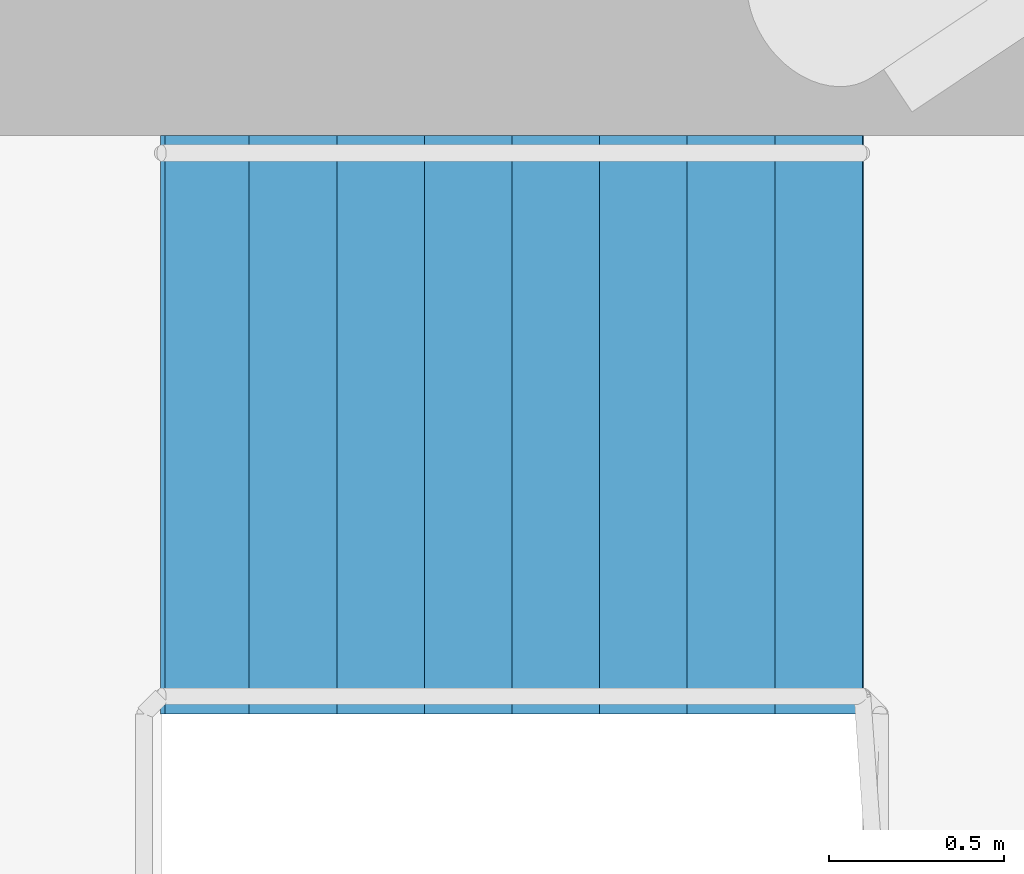
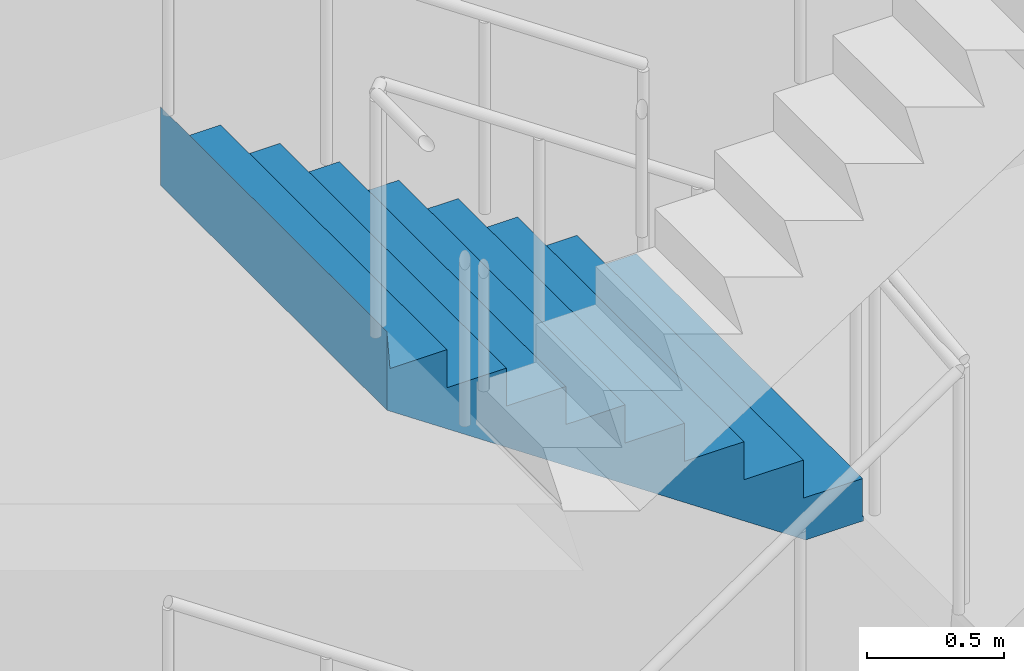
# One storey, part 18 of 23: 1 stair flight, 1 element without a shape of its own.
"""IFC4 building model written with IfcOpenShell, lengths in metres."""

import ifcopenshell
import ifcopenshell.guid

model = None  # the IFC model being written
_history = None  # IfcOwnerHistory: only IFC2X3 demands one
_inside = {}  # id of a spatial element -> (the spatial element, [elements in it])
_under = {}  # id of a project, library or spatial element -> (it, [spatial elements below it])
_declared = {}  # id of a project -> (the project, [libraries it declares])
_typed = {}  # id of a type object -> (the type object, [elements of that type])
_made_of = {}  # id of a material, layer set ... -> (it, [elements and type objects made of it])


def new_model(schema):
    """Start an empty IFC model of exactly this schema.

    Asked for "IFC4X3", IfcOpenShell would pick the latest addendum, in which some entities
    have other attributes; the version numbers below select the first issue.
    IFC2X3 requires an IfcOwnerHistory on every rooted entity: one is made here for all.
    """
    global model, _history
    if schema == "IFC4X3":
        model = ifcopenshell.file(schema_version=(4, 3, 0, 0))
    else:
        model = ifcopenshell.file(schema=schema)
    _inside.clear()
    _under.clear()
    _declared.clear()
    _typed.clear()
    _made_of.clear()
    _history = None
    if model.schema == "IFC2X3":
        org = make("IfcOrganization", Name="unknown")
        user = make(
            "IfcPersonAndOrganization",
            ThePerson=make("IfcPerson", FamilyName="unknown"),
            TheOrganization=org,
        )
        app = make(
            "IfcApplication",
            ApplicationDeveloper=org,
            Version="unknown",
            ApplicationFullName="unknown",
            ApplicationIdentifier="unknown",
        )
        _history = make(
            "IfcOwnerHistory",
            OwningUser=user,
            OwningApplication=app,
            ChangeAction="ADDED",
            CreationDate=0,
        )
    return model


def make(cls, **values):
    """One entity of the class cls with the attributes given. An attribute that is None is left unset."""
    return model.create_entity(
        cls, **{name: value for name, value in values.items() if value is not None}
    )


def rooted(cls, **values):
    """An entity with a GlobalId (a new one), such as an element, a storey or a relation."""
    return make(cls, GlobalId=ifcopenshell.guid.new(), OwnerHistory=_history, **values)


def si_unit(unit_type, name, prefix=None):
    """IfcSIUnit, for example si_unit("LENGTHUNIT", "METRE", prefix="MILLI")."""
    return make("IfcSIUnit", UnitType=unit_type, Prefix=prefix, Name=name)


def assignment(units):
    """IfcUnitAssignment: the units of a project."""
    return None if units is None else make("IfcUnitAssignment", Units=units)


def point(xyz):
    """IfcCartesianPoint."""
    return None if xyz is None else make("IfcCartesianPoint", Coordinates=xyz)


def direction(xyz):
    """IfcDirection."""
    return None if xyz is None else make("IfcDirection", DirectionRatios=xyz)


def frame(location, z_axis=None, x_axis=None):
    """IfcAxis2Placement3D, a coordinate frame: its origin and axes. An axis left out is left unset."""
    return make(
        "IfcAxis2Placement3D",
        Location=point(location),
        Axis=direction(z_axis),
        RefDirection=direction(x_axis),
    )


def origin():
    """The frame at (0, 0, 0) with its axes left unset."""
    return frame((0.0, 0.0, 0.0))


def place(relative_to, where):
    """IfcLocalPlacement: puts the frame where relative to a parent placement (None: the world)."""
    return make(
        "IfcLocalPlacement", PlacementRelTo=relative_to, RelativePlacement=where
    )


def context(
    kind, dimensions, precision=None, world=None, true_north=None, identifier=None
):
    """IfcGeometricRepresentationContext, for example the 3D "Model" context."""
    return make(
        "IfcGeometricRepresentationContext",
        ContextIdentifier=identifier,
        ContextType=kind,
        CoordinateSpaceDimension=dimensions,
        Precision=precision,
        WorldCoordinateSystem=world,
        TrueNorth=true_north,
    )


def subcontext(parent, identifier, kind, view, scale=None):
    """IfcGeometricRepresentationSubContext, for example "Body" below "Model"."""
    return make(
        "IfcGeometricRepresentationSubContext",
        ContextIdentifier=identifier,
        ContextType=kind,
        ParentContext=parent,
        TargetScale=scale,
        TargetView=view,
    )


def project(units=None, contexts=None):
    """IfcProject with its units and contexts."""
    return rooted(
        "IfcProject",
        Name="project",
        RepresentationContexts=contexts,
        UnitsInContext=assignment(units),
    )


def spatial(cls, under=None, at=None, **own):
    """A site, building, storey or space (cls), placed at a placement, below another one or the project."""
    s = rooted(cls, ObjectPlacement=at, **own)
    if under is not None:
        _under.setdefault(under.id(), (under, []))[1].append(s)
    return s


def point_list(points):
    """IfcCartesianPointList2D or 3D."""
    cls = (
        "IfcCartesianPointList2D" if len(points[0]) == 2 else "IfcCartesianPointList3D"
    )
    return make(cls, CoordList=points)


def triangles(points, corners, closed=None, point_numbers=None):
    """IfcTriangulatedFaceSet: each triangle names its three corners, points numbered from 1."""
    return make(
        "IfcTriangulatedFaceSet",
        Coordinates=point_list(points),
        Closed=closed,
        CoordIndex=corners,
        PnIndex=point_numbers,
    )


def shape(context_of_items, identifier, shape_type, items):
    """IfcShapeRepresentation: the items that make up one representation, for example the "Body"."""
    return make(
        "IfcShapeRepresentation",
        ContextOfItems=context_of_items,
        RepresentationIdentifier=identifier,
        RepresentationType=shape_type,
        Items=items,
    )


def material(Name=None, Category=None):
    """IfcMaterial."""
    return make("IfcMaterial", Name=Name, Category=Category)


def made_of(thing, what):
    """Note that an element or type object is made of a material, layer set ...; save() writes the relation."""
    if what is not None:
        _made_of.setdefault(what.id(), (what, []))[1].append(thing)
    return thing


def type_object(cls, material=None, **own):
    """A type object (cls), such as IfcWallType, which elements share."""
    return made_of(rooted(cls, **own), material)


def element(
    cls,
    number,
    at=None,
    inside=None,
    cuts=None,
    type_object=None,
    material=None,
    context=None,
    identifier="Body",
    shape_type=None,
    held_by="IfcProductDefinitionShape",
    body=None,
    shapes=None,
    **own,
):
    """One element of the class cls, such as IfcWall. Its Tag is "e" and its number.

    at: its placement. inside: the storey or other place that contains it. cuts: it is an
    opening in that element (IfcRelVoidsElement). A single representation is given by context,
    identifier, shape_type and body (its items); several are given by shapes. held_by: the class
    of the entity that holds the representations. save() writes the other relations.
    """
    e = rooted(cls, Tag="e%d" % number, ObjectPlacement=at, **own)
    if body is not None:
        shapes = [shape(context, identifier, shape_type, body)]
    if shapes is not None:
        e.Representation = make(held_by, Representations=shapes)
    if inside is not None:
        _inside.setdefault(inside.id(), (inside, []))[1].append(e)
    if cuts is not None:
        rooted(
            "IfcRelVoidsElement", RelatingBuildingElement=cuts, RelatedOpeningElement=e
        )
    if type_object is not None:
        _typed.setdefault(type_object.id(), (type_object, []))[1].append(e)
    return made_of(e, material)


def aggregate(whole, parts):
    """IfcRelAggregates: a whole, such as a stair, and the parts it consists of."""
    return rooted("IfcRelAggregates", RelatingObject=whole, RelatedObjects=parts)


def save(model, path):
    """Write the relations noted so far, then the file.

    IfcRelAggregates (storeys below a building ...), IfcRelContainedInSpatialStructure (elements
    in a storey), IfcRelDefinesByType, IfcRelAssociatesMaterial and IfcRelDeclares: one each for
    every whole, place, type object, material and project.
    """
    for whole, parts in _under.values():
        aggregate(whole, parts)
    for where, things in _inside.values():
        rooted(
            "IfcRelContainedInSpatialStructure",
            RelatedElements=things,
            RelatingStructure=where,
        )
    for kind, things in _typed.values():
        rooted("IfcRelDefinesByType", RelatedObjects=things, RelatingType=kind)
    for what, things in _made_of.values():
        rooted("IfcRelAssociatesMaterial", RelatedObjects=things, RelatingMaterial=what)
    for by, libraries in _declared.values():
        rooted("IfcRelDeclares", RelatingContext=by, RelatedDefinitions=libraries)
    model.write(path)


model = new_model("IFC4")

# Units and contexts
model_context = context("Model", 3, precision=1e-05, world=origin(), true_north=direction((0.0, 1.0)))
body_context = subcontext(model_context, "Body", "Model", "MODEL_VIEW")
ifc_project = project(units=[si_unit("LENGTHUNIT", "METRE"), si_unit("AREAUNIT", "SQUARE_METRE"), si_unit("VOLUMEUNIT", "CUBIC_METRE"), si_unit("PLANEANGLEUNIT", "RADIAN"), si_unit("MASSUNIT", "GRAM", prefix="KILO")], contexts=[model_context])

# Site, building, storey
site_placement = place(None, origin())
site = spatial("IfcSite", under=ifc_project, at=site_placement, CompositionType="ELEMENT")
building_placement = place(site_placement, origin())
building = spatial("IfcBuilding", under=site, at=building_placement, Name="Maasbend Ring Residences", CompositionType="ELEMENT")
storey_placement = place(building_placement, frame((0.0, 0.0, 97.14990234375)))
storey = spatial("IfcBuildingStorey", under=building, at=storey_placement, Name="L28", CompositionType="ELEMENT", Elevation=97.14990234375)

# Stair, stair flight
ifc_material_1 = material(Name="Concrete C40/50", Category="concrete")
stair_type = type_object("IfcStairType", Name="CORE STAIR 36 RISERS", PredefinedType="HALF_TURN_STAIR", material=ifc_material_1)
stair_placement = place(storey_placement, origin())
stair = element("IfcStair", 1, at=stair_placement, inside=storey, type_object=stair_type, Name="L28 Exit stair ST-E1", PredefinedType="HALF_TURN_STAIR")
ifc_material_2 = material(Name="Concrete C40/50", Category="concrete")
stair_flight_type = type_object("IfcStairFlightType", Name="CORE STAIR FLIGHT 1650", PredefinedType="STRAIGHT", material=ifc_material_2)
stair_flight_placement = place(storey_placement, frame((13.550048828125, 7.77490234375, 3.050048828125), z_axis=(0.0, 0.0, 1.0), x_axis=(-1.0, 0.0, 0.0)))
stair_flight = element("IfcStairFlight", 2, at=stair_flight_placement, type_object=stair_flight_type, Name="ST-E1 flight 3", NumberOfRisers=9, NumberOfTreads=8, PredefinedType="STRAIGHT", RiserHeight=0.169444444, TreadLength=0.25, context=body_context, shape_type="Tessellation", body=[
    triangles([(0.24072265625, 0.824951171875, -0.02001953125), (2.0029296875, 0.824951171875, 1.174560546875), (2.0029296875, 0.824951171875, 1.52490234375), (1.989990234375, 0.824951171875, 1.35546875), (1.75, 0.824951171875, 1.35546875), (1.75, 0.824951171875, 1.18603515625), (1.5, 0.824951171875, 1.18603515625), (1.5, 0.824951171875, 1.0166015625), (1.25, 0.824951171875, 1.0166015625), (1.25, 0.824951171875, 0.84716796875), (1.0, 0.824951171875, 0.84716796875), (1.0, 0.824951171875, 0.677734375), (0.75, 0.824951171875, 0.677734375), (0.75, 0.824951171875, 0.50830078125), (0.5, 0.824951171875, 0.50830078125), (0.5, 0.824951171875, 0.3388671875), (0.25, 0.824951171875, 0.3388671875), (0.25, 0.824951171875, 0.16943359375), (0.0, 0.824951171875, 0.16943359375), (0.0, 0.824951171875, 0.0), (-0.0029296875, 0.824951171875, 0.0), (-0.0029296875, 0.824951171875, -0.02001953125), (0.24072265625, 0.27490234375, -0.02001953125), (2.0029296875, 0.27490234375, 1.174560546875), (2.0029296875, 0.27490234375, 1.52490234375), (1.989990234375, 0.27490234375, 1.35546875), (1.75, 0.27490234375, 1.35546875), (1.75, 0.27490234375, 1.18603515625), (1.5, 0.27490234375, 1.18603515625), (1.5, 0.27490234375, 1.0166015625), (1.25, 0.27490234375, 1.0166015625), (1.25, 0.27490234375, 0.84716796875), (1.0, 0.27490234375, 0.84716796875), (1.0, 0.27490234375, 0.677734375), (0.75, 0.27490234375, 0.677734375), (0.75, 0.27490234375, 0.50830078125), (0.5, 0.27490234375, 0.50830078125), (0.5, 0.27490234375, 0.3388671875), (0.25, 0.27490234375, 0.3388671875), (0.25, 0.27490234375, 0.16943359375), (0.0, 0.27490234375, 0.16943359375), (0.0, 0.27490234375, 0.0), (-0.0029296875, 0.27490234375, 0.0), (-0.0029296875, 0.27490234375, -0.02001953125), (0.24072265625, -0.27490234375, -0.02001953125), (2.0029296875, -0.27490234375, 1.174560546875), (2.0029296875, -0.27490234375, 1.52490234375), (1.989990234375, -0.27490234375, 1.35546875), (1.75, -0.27490234375, 1.35546875), (1.75, -0.27490234375, 1.18603515625), (1.5, -0.27490234375, 1.18603515625), (1.5, -0.27490234375, 1.0166015625), (1.25, -0.27490234375, 1.0166015625), (1.25, -0.27490234375, 0.84716796875), (1.0, -0.27490234375, 0.84716796875), (1.0, -0.27490234375, 0.677734375), (0.75, -0.27490234375, 0.677734375), (0.75, -0.27490234375, 0.50830078125), (0.5, -0.27490234375, 0.50830078125), (0.5, -0.27490234375, 0.3388671875), (0.25, -0.27490234375, 0.3388671875), (0.25, -0.27490234375, 0.16943359375), (0.0, -0.27490234375, 0.16943359375), (0.0, -0.27490234375, 0.0), (-0.0029296875, -0.27490234375, 0.0), (-0.0029296875, -0.27490234375, -0.02001953125), (0.24072265625, -0.824951171875, -0.02001953125), (2.0029296875, -0.824951171875, 1.174560546875), (2.0029296875, -0.824951171875, 1.52490234375), (1.989990234375, -0.824951171875, 1.35546875), (1.75, -0.824951171875, 1.35546875), (1.75, -0.824951171875, 1.18603515625), (1.5, -0.824951171875, 1.18603515625), (1.5, -0.824951171875, 1.0166015625), (1.25, -0.824951171875, 1.0166015625), (1.25, -0.824951171875, 0.84716796875), (1.0, -0.824951171875, 0.84716796875), (1.0, -0.824951171875, 0.677734375), (0.75, -0.824951171875, 0.677734375), (0.75, -0.824951171875, 0.50830078125), (0.5, -0.824951171875, 0.50830078125), (0.5, -0.824951171875, 0.3388671875), (0.25, -0.824951171875, 0.3388671875), (0.25, -0.824951171875, 0.16943359375), (0.0, -0.824951171875, 0.16943359375), (0.0, -0.824951171875, 0.0), (-0.0029296875, -0.824951171875, 0.0), (-0.0029296875, -0.824951171875, -0.02001953125)], [[1, 2, 24], [1, 24, 23], [23, 24, 46], [23, 46, 45], [45, 46, 68], [45, 68, 67], [2, 3, 25], [2, 25, 24], [24, 25, 47], [24, 47, 46], [46, 47, 69], [46, 69, 68], [3, 4, 26], [3, 26, 25], [25, 26, 48], [25, 48, 47], [47, 48, 70], [47, 70, 69], [4, 5, 27], [4, 27, 26], [26, 27, 49], [26, 49, 48], [48, 49, 71], [48, 71, 70], [5, 6, 28], [5, 28, 27], [27, 28, 50], [27, 50, 49], [49, 50, 72], [49, 72, 71], [6, 7, 29], [6, 29, 28], [28, 29, 51], [28, 51, 50], [50, 51, 73], [50, 73, 72], [7, 8, 30], [7, 30, 29], [29, 30, 52], [29, 52, 51], [51, 52, 74], [51, 74, 73], [8, 9, 31], [8, 31, 30], [30, 31, 53], [30, 53, 52], [52, 53, 75], [52, 75, 74], [9, 10, 32], [9, 32, 31], [31, 32, 54], [31, 54, 53], [53, 54, 76], [53, 76, 75], [10, 11, 33], [10, 33, 32], [32, 33, 55], [32, 55, 54], [54, 55, 77], [54, 77, 76], [11, 12, 34], [11, 34, 33], [33, 34, 56], [33, 56, 55], [55, 56, 78], [55, 78, 77], [12, 13, 35], [12, 35, 34], [34, 35, 57], [34, 57, 56], [56, 57, 79], [56, 79, 78], [13, 14, 36], [13, 36, 35], [35, 36, 58], [35, 58, 57], [57, 58, 80], [57, 80, 79], [14, 15, 37], [14, 37, 36], [36, 37, 59], [36, 59, 58], [58, 59, 81], [58, 81, 80], [15, 16, 38], [15, 38, 37], [37, 38, 60], [37, 60, 59], [59, 60, 82], [59, 82, 81], [16, 17, 39], [16, 39, 38], [38, 39, 61], [38, 61, 60], [60, 61, 83], [60, 83, 82], [17, 18, 40], [17, 40, 39], [39, 40, 62], [39, 62, 61], [61, 62, 84], [61, 84, 83], [18, 19, 41], [18, 41, 40], [40, 41, 63], [40, 63, 62], [62, 63, 85], [62, 85, 84], [19, 20, 42], [19, 42, 41], [41, 42, 64], [41, 64, 63], [63, 64, 86], [63, 86, 85], [20, 21, 43], [20, 43, 42], [42, 43, 65], [42, 65, 64], [64, 65, 87], [64, 87, 86], [21, 22, 44], [21, 44, 43], [43, 44, 66], [43, 66, 65], [65, 66, 88], [65, 88, 87], [22, 1, 23], [22, 23, 44], [44, 23, 45], [44, 45, 66], [66, 45, 67], [66, 67, 88], [22, 2, 1], [2, 4, 3], [2, 5, 4], [2, 6, 5], [22, 6, 2], [6, 8, 7], [22, 8, 6], [8, 10, 9], [22, 10, 8], [10, 12, 11], [22, 12, 10], [12, 14, 13], [22, 14, 12], [14, 16, 15], [22, 16, 14], [16, 18, 17], [22, 18, 16], [18, 20, 19], [22, 20, 18], [20, 22, 21], [88, 67, 68], [68, 69, 70], [68, 70, 71], [68, 71, 72], [88, 68, 72], [72, 73, 74], [88, 72, 74], [74, 75, 76], [88, 74, 76], [76, 77, 78], [88, 76, 78], [78, 79, 80], [88, 78, 80], [80, 81, 82], [88, 80, 82], [82, 83, 84], [88, 82, 84], [84, 85, 86], [88, 84, 86], [86, 87, 88]], closed=True),
])
aggregate(stair, [stair_flight])

save(model, "model.ifc")
